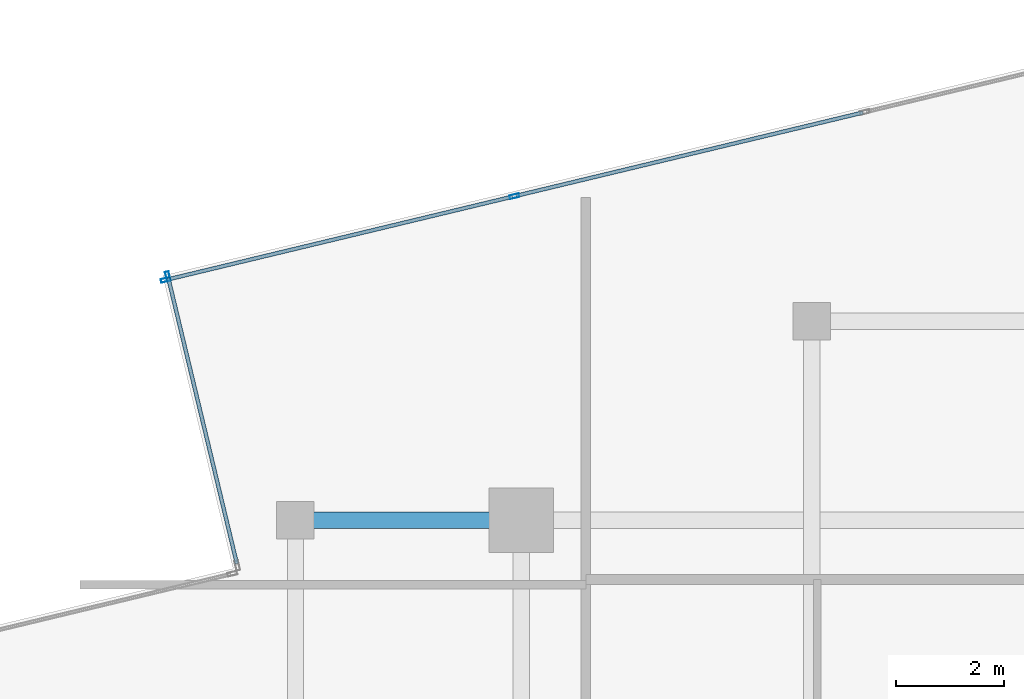
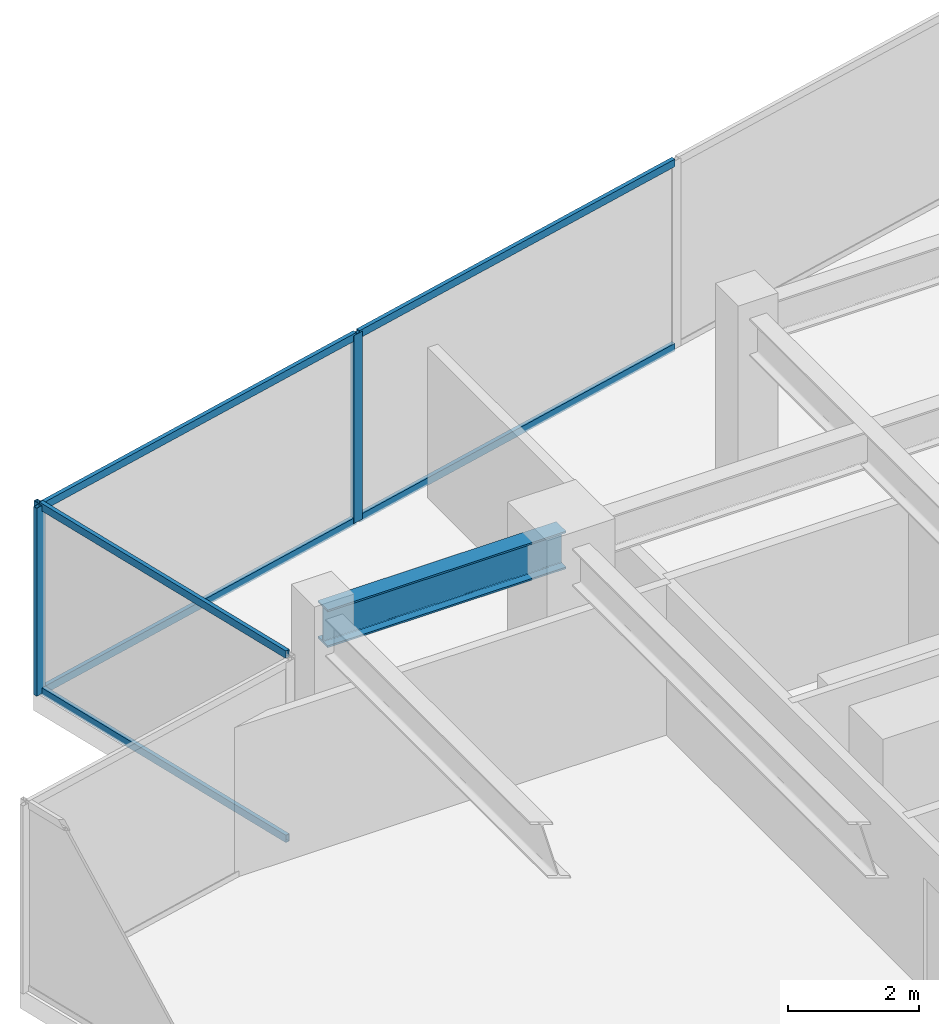
# One storey, part 12 of 19: 9 members, 1 beam, 2 elements without a shape of their own.
"""IFC4 building model written with IfcOpenShell, lengths in metres."""

import ifcopenshell
import ifcopenshell.guid

model = None  # the IFC model being written
_history = None  # IfcOwnerHistory: only IFC2X3 demands one
_inside = {}  # id of a spatial element -> (the spatial element, [elements in it])
_under = {}  # id of a project, library or spatial element -> (it, [spatial elements below it])
_declared = {}  # id of a project -> (the project, [libraries it declares])
_typed = {}  # id of a type object -> (the type object, [elements of that type])
_made_of = {}  # id of a material, layer set ... -> (it, [elements and type objects made of it])


def new_model(schema):
    """Start an empty IFC model of exactly this schema.

    Asked for "IFC4X3", IfcOpenShell would pick the latest addendum, in which some entities
    have other attributes; the version numbers below select the first issue.
    IFC2X3 requires an IfcOwnerHistory on every rooted entity: one is made here for all.
    """
    global model, _history
    if schema == "IFC4X3":
        model = ifcopenshell.file(schema_version=(4, 3, 0, 0))
    else:
        model = ifcopenshell.file(schema=schema)
    _inside.clear()
    _under.clear()
    _declared.clear()
    _typed.clear()
    _made_of.clear()
    _history = None
    if model.schema == "IFC2X3":
        org = make("IfcOrganization", Name="unknown")
        user = make(
            "IfcPersonAndOrganization",
            ThePerson=make("IfcPerson", FamilyName="unknown"),
            TheOrganization=org,
        )
        app = make(
            "IfcApplication",
            ApplicationDeveloper=org,
            Version="unknown",
            ApplicationFullName="unknown",
            ApplicationIdentifier="unknown",
        )
        _history = make(
            "IfcOwnerHistory",
            OwningUser=user,
            OwningApplication=app,
            ChangeAction="ADDED",
            CreationDate=0,
        )
    return model


def make(cls, **values):
    """One entity of the class cls with the attributes given. An attribute that is None is left unset."""
    return model.create_entity(
        cls, **{name: value for name, value in values.items() if value is not None}
    )


def rooted(cls, **values):
    """An entity with a GlobalId (a new one), such as an element, a storey or a relation."""
    return make(cls, GlobalId=ifcopenshell.guid.new(), OwnerHistory=_history, **values)


def si_unit(unit_type, name, prefix=None):
    """IfcSIUnit, for example si_unit("LENGTHUNIT", "METRE", prefix="MILLI")."""
    return make("IfcSIUnit", UnitType=unit_type, Prefix=prefix, Name=name)


def assignment(units):
    """IfcUnitAssignment: the units of a project."""
    return None if units is None else make("IfcUnitAssignment", Units=units)


def point(xyz):
    """IfcCartesianPoint."""
    return None if xyz is None else make("IfcCartesianPoint", Coordinates=xyz)


def direction(xyz):
    """IfcDirection."""
    return None if xyz is None else make("IfcDirection", DirectionRatios=xyz)


def frame(location, z_axis=None, x_axis=None):
    """IfcAxis2Placement3D, a coordinate frame: its origin and axes. An axis left out is left unset."""
    return make(
        "IfcAxis2Placement3D",
        Location=point(location),
        Axis=direction(z_axis),
        RefDirection=direction(x_axis),
    )


def frame_2d(location, x_axis=None):
    """IfcAxis2Placement2D, a coordinate frame in the plane: its origin and x axis."""
    return make(
        "IfcAxis2Placement2D", Location=point(location), RefDirection=direction(x_axis)
    )


def origin():
    """The frame at (0, 0, 0) with its axes left unset."""
    return frame((0.0, 0.0, 0.0))


def origin_2d():
    """The frame at (0, 0) in the plane with its x axis left unset."""
    return frame_2d((0.0, 0.0))


def place(relative_to, where):
    """IfcLocalPlacement: puts the frame where relative to a parent placement (None: the world)."""
    return make(
        "IfcLocalPlacement", PlacementRelTo=relative_to, RelativePlacement=where
    )


def context(
    kind, dimensions, precision=None, world=None, true_north=None, identifier=None
):
    """IfcGeometricRepresentationContext, for example the 3D "Model" context."""
    return make(
        "IfcGeometricRepresentationContext",
        ContextIdentifier=identifier,
        ContextType=kind,
        CoordinateSpaceDimension=dimensions,
        Precision=precision,
        WorldCoordinateSystem=world,
        TrueNorth=true_north,
    )


def subcontext(parent, identifier, kind, view, scale=None):
    """IfcGeometricRepresentationSubContext, for example "Body" below "Model"."""
    return make(
        "IfcGeometricRepresentationSubContext",
        ContextIdentifier=identifier,
        ContextType=kind,
        ParentContext=parent,
        TargetScale=scale,
        TargetView=view,
    )


def project(units=None, contexts=None):
    """IfcProject with its units and contexts."""
    return rooted(
        "IfcProject",
        Name="project",
        RepresentationContexts=contexts,
        UnitsInContext=assignment(units),
    )


def spatial(cls, under=None, at=None, **own):
    """A site, building, storey or space (cls), placed at a placement, below another one or the project."""
    s = rooted(cls, ObjectPlacement=at, **own)
    if under is not None:
        _under.setdefault(under.id(), (under, []))[1].append(s)
    return s


def profile(cls, at=None, kind="AREA", **sizes):
    """A parametric profile (cls). Its sizes go by their IFC names, for example OverallWidth=200.0."""
    return make(cls, ProfileType=kind, Position=at, **sizes)


def hollow_rectangle(**sizes):
    """IfcRectangleHollowProfileDef."""
    return profile("IfcRectangleHollowProfileDef", **sizes)


def i_section(**sizes):
    """IfcIShapeProfileDef."""
    return profile("IfcIShapeProfileDef", **sizes)


def extrude(swept, where, along, depth):
    """IfcExtrudedAreaSolid: the profile swept, set in the frame where, extruded along a direction by depth."""
    return make(
        "IfcExtrudedAreaSolid",
        SweptArea=swept,
        Position=where,
        ExtrudedDirection=direction(along),
        Depth=depth,
    )


def shape(context_of_items, identifier, shape_type, items):
    """IfcShapeRepresentation: the items that make up one representation, for example the "Body"."""
    return make(
        "IfcShapeRepresentation",
        ContextOfItems=context_of_items,
        RepresentationIdentifier=identifier,
        RepresentationType=shape_type,
        Items=items,
    )


def source(mapping_origin, context_of_items, identifier, shape_type, items):
    """IfcRepresentationMap: a shape defined once, which mapped items show again and again."""
    return make(
        "IfcRepresentationMap",
        MappingOrigin=mapping_origin,
        MappedRepresentation=shape(context_of_items, identifier, shape_type, items),
    )


def transform(
    local_origin,
    x_axis=None,
    y_axis=None,
    z_axis=None,
    scale=None,
    scale2=None,
    scale3=None,
    uniform=True,
):
    """IfcCartesianTransformationOperator3D, or its non-uniform kind. x_axis, y_axis, z_axis: its Axis1, 2, 3."""
    if uniform:
        return make(
            "IfcCartesianTransformationOperator3D",
            Axis1=direction(x_axis),
            Axis2=direction(y_axis),
            LocalOrigin=point(local_origin),
            Scale=scale,
            Axis3=direction(z_axis),
        )
    return make(
        "IfcCartesianTransformationOperator3DnonUniform",
        Axis1=direction(x_axis),
        Axis2=direction(y_axis),
        LocalOrigin=point(local_origin),
        Scale=scale,
        Axis3=direction(z_axis),
        Scale2=scale2,
        Scale3=scale3,
    )


def mapped(mapping_source, mapping_target):
    """IfcMappedItem: shows the shape of a source again, moved by a transform."""
    return make(
        "IfcMappedItem", MappingSource=mapping_source, MappingTarget=mapping_target
    )


def material(Name=None, Category=None):
    """IfcMaterial."""
    return make("IfcMaterial", Name=Name, Category=Category)


def material_profile(
    of_material, cross_section, Name=None, Category=None, Priority=None
):
    """IfcMaterialProfile: a cross section and its material."""
    return make(
        "IfcMaterialProfile",
        Name=Name,
        Material=of_material,
        Profile=cross_section,
        Priority=Priority,
        Category=Category,
    )


def profile_set(profiles, Name=None, composite=None):
    """IfcMaterialProfileSet."""
    return make(
        "IfcMaterialProfileSet",
        Name=Name,
        MaterialProfiles=profiles,
        CompositeProfile=composite,
    )


def made_of(thing, what):
    """Note that an element or type object is made of a material, layer set ...; save() writes the relation."""
    if what is not None:
        _made_of.setdefault(what.id(), (what, []))[1].append(thing)
    return thing


def type_object(cls, material=None, **own):
    """A type object (cls), such as IfcWallType, which elements share."""
    return made_of(rooted(cls, **own), material)


def type_shapes(of_type, sources):
    """Give a type object the sources (RepresentationMaps) that its elements show as mapped items."""
    of_type.RepresentationMaps = sources


def element(
    cls,
    number,
    at=None,
    inside=None,
    cuts=None,
    type_object=None,
    material=None,
    context=None,
    identifier="Body",
    shape_type=None,
    held_by="IfcProductDefinitionShape",
    body=None,
    shapes=None,
    **own,
):
    """One element of the class cls, such as IfcWall. Its Tag is "e" and its number.

    at: its placement. inside: the storey or other place that contains it. cuts: it is an
    opening in that element (IfcRelVoidsElement). A single representation is given by context,
    identifier, shape_type and body (its items); several are given by shapes. held_by: the class
    of the entity that holds the representations. save() writes the other relations.
    """
    e = rooted(cls, Tag="e%d" % number, ObjectPlacement=at, **own)
    if body is not None:
        shapes = [shape(context, identifier, shape_type, body)]
    if shapes is not None:
        e.Representation = make(held_by, Representations=shapes)
    if inside is not None:
        _inside.setdefault(inside.id(), (inside, []))[1].append(e)
    if cuts is not None:
        rooted(
            "IfcRelVoidsElement", RelatingBuildingElement=cuts, RelatedOpeningElement=e
        )
    if type_object is not None:
        _typed.setdefault(type_object.id(), (type_object, []))[1].append(e)
    return made_of(e, material)


def aggregate(whole, parts):
    """IfcRelAggregates: a whole, such as a stair, and the parts it consists of."""
    return rooted("IfcRelAggregates", RelatingObject=whole, RelatedObjects=parts)


def save(model, path):
    """Write the relations noted so far, then the file.

    IfcRelAggregates (storeys below a building ...), IfcRelContainedInSpatialStructure (elements
    in a storey), IfcRelDefinesByType, IfcRelAssociatesMaterial and IfcRelDeclares: one each for
    every whole, place, type object, material and project.
    """
    for whole, parts in _under.values():
        aggregate(whole, parts)
    for where, things in _inside.values():
        rooted(
            "IfcRelContainedInSpatialStructure",
            RelatedElements=things,
            RelatingStructure=where,
        )
    for kind, things in _typed.values():
        rooted("IfcRelDefinesByType", RelatedObjects=things, RelatingType=kind)
    for what, things in _made_of.values():
        rooted("IfcRelAssociatesMaterial", RelatedObjects=things, RelatingMaterial=what)
    for by, libraries in _declared.values():
        rooted("IfcRelDeclares", RelatingContext=by, RelatedDefinitions=libraries)
    model.write(path)


model = new_model("IFC4")

# Units and contexts
model_context = context("Model", 3, precision=1e-05, world=origin(), true_north=direction((0.0, 1.0)))
body_context = subcontext(model_context, "Body", "Model", "MODEL_VIEW")
ifc_project = project(units=[si_unit("LENGTHUNIT", "METRE"), si_unit("AREAUNIT", "SQUARE_METRE"), si_unit("VOLUMEUNIT", "CUBIC_METRE"), si_unit("PLANEANGLEUNIT", "RADIAN"), si_unit("MASSUNIT", "GRAM", prefix="KILO")], contexts=[model_context])

# Site, building, storey
site_placement = place(None, origin())
site = spatial("IfcSite", under=ifc_project, at=site_placement, CompositionType="ELEMENT")
building_placement = place(site_placement, origin())
building = spatial("IfcBuilding", under=site, at=building_placement, Name="Krantzveldt Concourse Tower", CompositionType="ELEMENT")
storey_placement = place(building_placement, frame((0.0, 0.0, 363.25)))
storey = spatial("IfcBuildingStorey", under=building, at=storey_placement, Name="L89", CompositionType="ELEMENT", Elevation=363.25)

# Beam
ifc_material_1 = material(Name="Steel S355J2", Category="steel")
ifc_material_profile_1 = material_profile(ifc_material_1, i_section(OverallWidth=0.300048828125, OverallDepth=0.699951171875, WebThickness=0.01708984375, FlangeThickness=0.031982421875, FilletRadius=0.027099609375, at=origin_2d()), Name="Steel S355J2", Category="steel")
ifc_profile_set_1 = profile_set([ifc_material_profile_1], Name="Steel S355J2 - HEB 700")
beam_type = type_object("IfcBeamType", Name="BM-B-HEB700", PredefinedType="BEAM", material=ifc_profile_set_1)
shared_shape_1 = source(origin(), body_context, "Body", "SweptSolid", [
    extrude(i_section(OverallWidth=0.300048828125, OverallDepth=0.699951171875, WebThickness=0.01708984375, FlangeThickness=0.031982421875, FilletRadius=0.027099609375, at=origin_2d()), origin(), (0.0, 0.0, 1.0), 4.199951171875),
])
type_shapes(beam_type, [shared_shape_1])
beam_placement = place(storey_placement, frame((21.0, 37.5, 3.14990234375), z_axis=(1.0, 0.0, 0.0), x_axis=(0.0, 1.0, 0.0)))
element("IfcBeam", 1, at=beam_placement, inside=storey, type_object=beam_type, Name="L89 Crown Girder CBG-89-RL3", PredefinedType="BEAM", context=body_context, shape_type="MappedRepresentation", body=[
    mapped(shared_shape_1, transform((0.0, 0.0, 0.0), x_axis=(1.0, 0.0, 0.0), y_axis=(0.0, 1.0, 0.0), z_axis=(0.0, 0.0, 1.0), scale=1.0)),
])

# Curtain wall, members
ifc_material_2 = material(Name="Anodised aluminium 6063-T6", Category="aluminium")
curtain_wall_type = type_object("IfcCurtainWallType", Name="CW7", PredefinedType="USERDEFINED", material=ifc_material_2)
curtain_wall_1_placement = place(storey_placement, origin())
curtain_wall_1 = element("IfcCurtainWall", 2, at=curtain_wall_1_placement, inside=storey, type_object=curtain_wall_type, Name="CW-L89-BASE-01", ObjectType="UNITISED CURTAIN WALL", PredefinedType="USERDEFINED")
ifc_material_profile_2 = material_profile(ifc_material_2, hollow_rectangle(XDim=0.070068359375, YDim=0.139892578125, WallThickness=0.0048828125, at=origin_2d()), Name="Anodised aluminium 6063-T6", Category="aluminium")
ifc_profile_set_2 = profile_set([ifc_material_profile_2], Name="Anodised aluminium 6063-T6 - ALU-TRAN 140x70x5")
member_type_1 = type_object("IfcMemberType", Name="CW-TRN-150", PredefinedType="USERDEFINED", material=ifc_profile_set_2)
shared_shape_2 = source(origin(), body_context, "Body", "SweptSolid", [
    extrude(hollow_rectangle(XDim=0.070068359375, YDim=0.139892578125, WallThickness=0.0048828125, at=origin_2d()), origin(), (0.0, 0.0, 1.0), 6.6298828125),
])
member_1_placement = place(storey_placement, frame((31.551513671875, 45.079345703125, 0.034912109375), z_axis=(-0.972365905625, -0.233462085953, 0.0), x_axis=(0.233462085953, -0.972365905625, 0.0)))
member_1 = element("IfcMember", 3, at=member_1_placement, type_object=member_type_1, Name="CW-CRN transom 3.1", ObjectType="TRANSOM", PredefinedType="USERDEFINED", context=body_context, shape_type="MappedRepresentation", body=[
    mapped(shared_shape_2, transform((0.0, 0.0, 0.0), x_axis=(1.0, 0.0, 0.0), y_axis=(0.0, 1.0, 0.0), z_axis=(0.0, 0.0, 1.0), scale=1.0)),
])
member_2_placement = place(storey_placement, frame((31.551513671875, 45.079345703125, 3.465087890625), z_axis=(-0.972365905625, -0.233462085953, 0.0), x_axis=(0.233462085953, -0.972365905625, 0.0)))
member_2 = element("IfcMember", 4, at=member_2_placement, type_object=member_type_1, Name="CW-CRN transom 3.2", ObjectType="TRANSOM", PredefinedType="USERDEFINED", context=body_context, shape_type="MappedRepresentation", body=[
    mapped(shared_shape_2, transform((0.0, 0.0, 0.0), x_axis=(1.0, 0.0, 0.0), y_axis=(0.0, 1.0, 0.0), z_axis=(0.0, 0.0, 1.0), scale=1.0)),
])
shared_shape_3 = source(origin(), body_context, "Body", "SweptSolid", [
    extrude(hollow_rectangle(XDim=0.070068359375, YDim=0.139892578125, WallThickness=0.0048828125, at=origin_2d()), origin(), (0.0, 0.0, 1.0), 6.59521484375),
])
member_3_placement = place(storey_placement, frame((25.03662109375, 43.515380859375, 0.034912109375), z_axis=(-0.972362767007, -0.23347515786, 0.0), x_axis=(0.23347515786, -0.972362767007, 0.0)))
member_3 = element("IfcMember", 5, at=member_3_placement, type_object=member_type_1, Name="CW-CRN transom 4.1", ObjectType="TRANSOM", PredefinedType="USERDEFINED", context=body_context, shape_type="MappedRepresentation", body=[
    mapped(shared_shape_3, transform((0.0, 0.0, 0.0), x_axis=(1.0, 0.0, 0.0), y_axis=(0.0, 1.0, 0.0), z_axis=(0.0, 0.0, 1.0), scale=1.0)),
])
member_4_placement = place(storey_placement, frame((25.03662109375, 43.515380859375, 3.465087890625), z_axis=(-0.972362767007, -0.23347515786, 0.0), x_axis=(0.23347515786, -0.972362767007, 0.0)))
member_4 = element("IfcMember", 6, at=member_4_placement, type_object=member_type_1, Name="CW-CRN transom 4.2", ObjectType="TRANSOM", PredefinedType="USERDEFINED", context=body_context, shape_type="MappedRepresentation", body=[
    mapped(shared_shape_3, transform((0.0, 0.0, 0.0), x_axis=(1.0, 0.0, 0.0), y_axis=(0.0, 1.0, 0.0), z_axis=(0.0, 0.0, 1.0), scale=1.0)),
])
ifc_material_profile_3 = material_profile(ifc_material_2, hollow_rectangle(XDim=0.070068359375, YDim=0.179931640625, WallThickness=0.0048828125, at=origin_2d()), Name="Anodised aluminium 6063-T6", Category="aluminium")
ifc_profile_set_3 = profile_set([ifc_material_profile_3], Name="Anodised aluminium 6063-T6 - ALU-MULL 180x70x5")
member_type_2 = type_object("IfcMemberType", Name="CW-MUL-180", PredefinedType="MULLION", material=ifc_profile_set_3)
shared_shape_4 = source(origin(), body_context, "Body", "SweptSolid", [
    extrude(hollow_rectangle(XDim=0.070068359375, YDim=0.179931640625, WallThickness=0.0048828125, at=origin_2d()), origin(), (0.0, 0.0, 1.0), 3.5),
])
type_shapes(member_type_2, [shared_shape_4])
member_5_placement = place(storey_placement, frame((25.070556640625, 43.5234375, 0.0), z_axis=(0.0, 0.0, 1.0), x_axis=(0.233445461796, -0.972369896884, 0.0)))
member_5 = element("IfcMember", 7, at=member_5_placement, type_object=member_type_2, Name="CW-CRN mullion 4", PredefinedType="MULLION", context=body_context, shape_type="MappedRepresentation", body=[
    mapped(shared_shape_4, transform((0.0, 0.0, 0.0), x_axis=(1.0, 0.0, 0.0), y_axis=(0.0, 1.0, 0.0), z_axis=(0.0, 0.0, 1.0), scale=1.0)),
])
member_6_placement = place(storey_placement, frame((18.58984375, 41.967529296875, 0.0), z_axis=(0.0, 0.0, 1.0), x_axis=(0.233445461796, -0.972369896884, 0.0)))
member_6 = element("IfcMember", 8, at=member_6_placement, type_object=member_type_2, Name="CW-CRN mullion 5", PredefinedType="MULLION", context=body_context, shape_type="MappedRepresentation", body=[
    mapped(shared_shape_4, transform((0.0, 0.0, 0.0), x_axis=(1.0, 0.0, 0.0), y_axis=(0.0, 1.0, 0.0), z_axis=(0.0, 0.0, 1.0), scale=1.0)),
])
aggregate(curtain_wall_1, [member_5, member_6, member_1, member_2, member_3, member_4])

curtain_wall_2_placement = place(storey_placement, origin())
curtain_wall_2 = element("IfcCurtainWall", 9, at=curtain_wall_2_placement, inside=storey, type_object=curtain_wall_type, Name="CW-L89-BASE-02", ObjectType="UNITISED CURTAIN WALL", PredefinedType="USERDEFINED")
member_7_placement = place(storey_placement, frame((18.63037109375, 42.033935546875, 0.0), z_axis=(0.0, 0.0, 1.0), x_axis=(0.972369663588, 0.233446433541, 0.0)))
member_7 = element("IfcMember", 10, at=member_7_placement, type_object=member_type_2, Name="CW-CRN mullion 1", PredefinedType="MULLION", context=body_context, shape_type="MappedRepresentation", body=[
    mapped(shared_shape_4, transform((0.0, 0.0, 0.0), x_axis=(1.0, 0.0, 0.0), y_axis=(0.0, 1.0, 0.0), z_axis=(0.0, 0.0, 1.0), scale=1.0)),
])
shared_shape_5 = source(origin(), body_context, "Body", "SweptSolid", [
    extrude(hollow_rectangle(XDim=0.070068359375, YDim=0.139892578125, WallThickness=0.0048828125, at=origin_2d()), origin(), (0.0, 0.0, 1.0), 5.4599609375),
])
type_shapes(member_type_1, [shared_shape_2, shared_shape_3, shared_shape_5])
member_8_placement = place(storey_placement, frame((18.638671875, 41.999755859375, 0.034912109375), z_axis=(0.233455819396, -0.972367410185, 0.0), x_axis=(0.972367410185, 0.233455819396, 0.0)))
member_8 = element("IfcMember", 11, at=member_8_placement, type_object=member_type_1, Name="CW-CRN transom 1.1", ObjectType="TRANSOM", PredefinedType="USERDEFINED", context=body_context, shape_type="MappedRepresentation", body=[
    mapped(shared_shape_5, transform((0.0, 0.0, 0.0), x_axis=(1.0, 0.0, 0.0), y_axis=(0.0, 1.0, 0.0), z_axis=(0.0, 0.0, 1.0), scale=1.0)),
])
member_9_placement = place(storey_placement, frame((18.638671875, 41.999755859375, 3.465087890625), z_axis=(0.233455819396, -0.972367410185, 0.0), x_axis=(0.972367410185, 0.233455819396, 0.0)))
member_9 = element("IfcMember", 12, at=member_9_placement, type_object=member_type_1, Name="CW-CRN transom 1.2", ObjectType="TRANSOM", PredefinedType="USERDEFINED", context=body_context, shape_type="MappedRepresentation", body=[
    mapped(shared_shape_5, transform((0.0, 0.0, 0.0), x_axis=(1.0, 0.0, 0.0), y_axis=(0.0, 1.0, 0.0), z_axis=(0.0, 0.0, 1.0), scale=1.0)),
])
aggregate(curtain_wall_2, [member_7, member_8, member_9])

save(model, "model.ifc")
